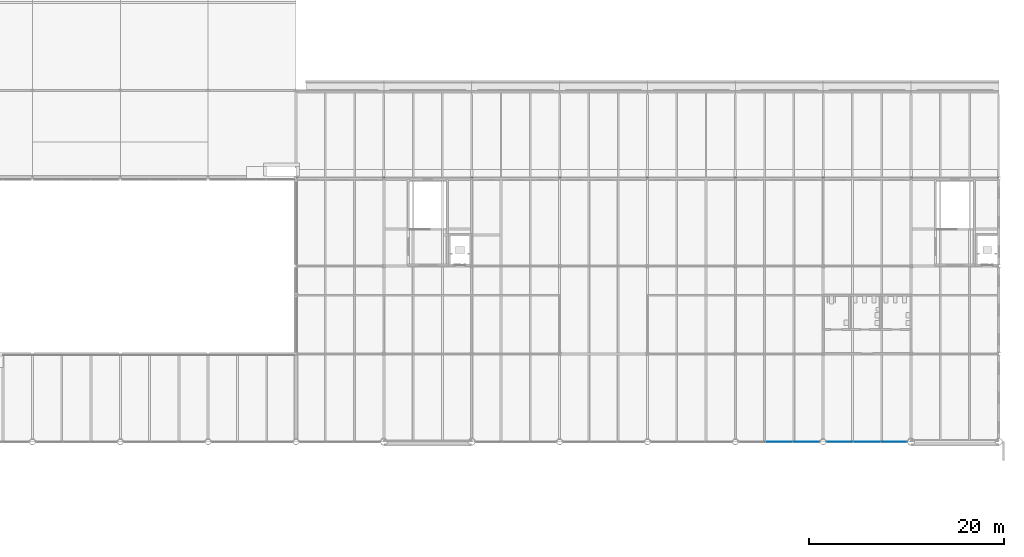
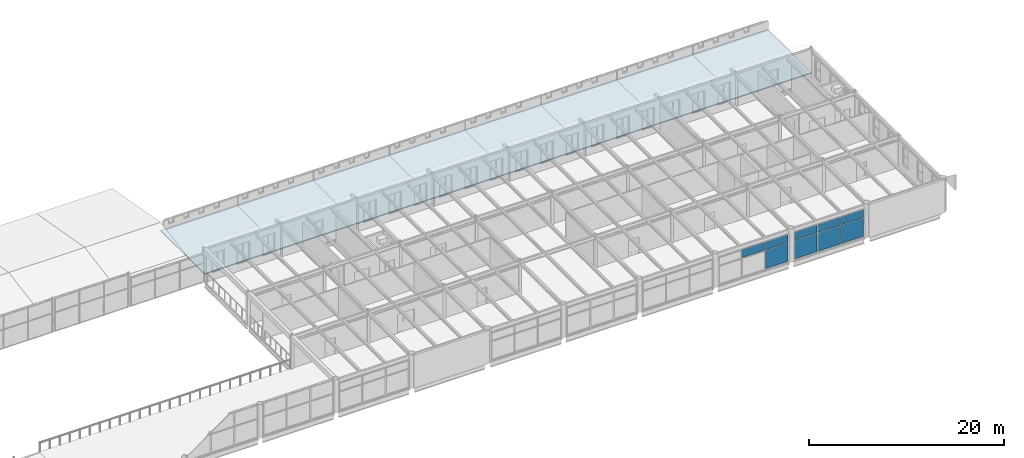
# One storey, part 57 of 123: 9 plates, 1 slab, 2 elements without a shape of their own.
"""IFC4 building model written with IfcOpenShell, lengths in metres."""

from ifc_helpers import new_model, si_unit, direction, frame, origin, origin_2d, place, context, subcontext, project, spatial, polyline, rectangle, outline, extrude, material, layer, layer_set, type_object, element, aggregate, save


model = new_model("IFC4")

# Units and contexts
model_context = context("Model", 3, precision=1e-05, world=origin(), true_north=direction((0.0, 1.0)))
body_context = subcontext(model_context, "Body", "Model", "MODEL_VIEW")
ifc_project = project(units=[si_unit("LENGTHUNIT", "METRE"), si_unit("AREAUNIT", "SQUARE_METRE"), si_unit("VOLUMEUNIT", "CUBIC_METRE"), si_unit("PLANEANGLEUNIT", "RADIAN"), si_unit("MASSUNIT", "GRAM", prefix="KILO")], contexts=[model_context])

# Site, building, storey
site_placement = place(None, origin())
site = spatial("IfcSite", under=ifc_project, at=site_placement, CompositionType="ELEMENT")
building_placement = place(site_placement, origin())
building = spatial("IfcBuilding", under=site, at=building_placement, Name="Baradari Gate Terminus", CompositionType="ELEMENT")
storey_placement = place(building_placement, frame((0.0, 0.0, 7.5)))
storey = spatial("IfcBuildingStorey", under=building, at=storey_placement, Name="L01", CompositionType="ELEMENT", Elevation=7.5)

# Slab
ifc_material_1 = material(Name="Concrete C35/45", Category="concrete")
ifc_layer_1 = layer(ifc_material_1, 0.1201171875)
ifc_layer_set_1 = layer_set([ifc_layer_1], Name="Concrete C35/45")
slab_type = type_object("IfcSlabType", Name="Canopy roof slab SL7 120", PredefinedType="ROOF", material=ifc_layer_set_1)
slab_placement = place(storey_placement, frame((0.0, 0.0, 0.780029296875)))
element("IfcSlab", 1, at=slab_placement, inside=storey, type_object=slab_type, Name="Canopy roof", PredefinedType="ROOF", context=body_context, shape_type="SweptSolid", body=[
    extrude(outline(polyline([(171.0, 117.0), (171.0, 108.0), (243.0, 108.0), (243.0, 117.0), (171.0, 117.0)])), origin(), (0.0, 0.0, 1.0), 0.119873046875),
])

# Curtain wall, plates
ifc_material_2 = material(Name="Aluminium 6063-T6", Category="aluminium")
curtain_wall_type = type_object("IfcCurtainWallType", Name="Curtain wall CW-13 concourse gallery glazing", PredefinedType="NOTDEFINED", material=ifc_material_2)
curtain_wall_1_placement = place(storey_placement, origin())
curtain_wall_1 = element("IfcCurtainWall", 2, at=curtain_wall_1_placement, inside=storey, type_object=curtain_wall_type, Name="Glazed curtain wall CW-13 HS bay 25 L01", PredefinedType="NOTDEFINED")
ifc_material_3 = material(Name="Insulating glass unit", Category="glass")
ifc_layer_2 = layer(ifc_material_3, 0.0400390625)
ifc_layer_set_2 = layer_set([ifc_layer_2], Name="Insulating glass unit")
plate_type = type_object("IfcPlateType", Name="Curtain wall glazing unit CP-13 40", PredefinedType="CURTAIN_PANEL", material=ifc_layer_set_2)
plate_1_placement = place(storey_placement, frame((220.5, 81.0, 2.43994140625), z_axis=(0.0, 0.0, 1.0), x_axis=(1.0, 0.0, 0.0)))
plate_1 = element("IfcPlate", 3, at=plate_1_placement, type_object=plate_type, Name="CW-13 panel 2.2", PredefinedType="CURTAIN_PANEL", context=body_context, shape_type="SweptSolid", body=[
    extrude(rectangle(XDim=2.716552734375, YDim=0.0400390625, at=origin_2d()), origin(), (0.0, 0.0, 1.0), 0.996826171875),
])
plate_2_placement = place(storey_placement, frame((223.276611328125, 81.0, 0.080078125), z_axis=(0.0, 0.0, 1.0), x_axis=(1.0, 0.0, 0.0)))
plate_2 = element("IfcPlate", 4, at=plate_2_placement, type_object=plate_type, Name="CW-13 panel 3.1", PredefinedType="CURTAIN_PANEL", context=body_context, shape_type="SweptSolid", body=[
    extrude(rectangle(XDim=2.6767578125, YDim=0.0400390625, at=origin_2d()), origin(), (0.0, 0.0, 1.0), 2.280029296875),
])
plate_3_placement = place(storey_placement, frame((223.276611328125, 81.0, 2.43994140625), z_axis=(0.0, 0.0, 1.0), x_axis=(1.0, 0.0, 0.0)))
plate_3 = element("IfcPlate", 5, at=plate_3_placement, type_object=plate_type, Name="CW-13 panel 3.2", PredefinedType="CURTAIN_PANEL", context=body_context, shape_type="SweptSolid", body=[
    extrude(rectangle(XDim=2.6767578125, YDim=0.0400390625, at=origin_2d()), origin(), (0.0, 0.0, 1.0), 0.996826171875),
])
aggregate(curtain_wall_1, [plate_1, plate_2, plate_3])

curtain_wall_2_placement = place(storey_placement, origin())
curtain_wall_2 = element("IfcCurtainWall", 6, at=curtain_wall_2_placement, inside=storey, type_object=curtain_wall_type, Name="Glazed curtain wall CW-13 HS bay 26 L01", PredefinedType="NOTDEFINED")
plate_4_placement = place(storey_placement, frame((226.71484375, 81.0, 0.080078125), z_axis=(0.0, 0.0, 1.0), x_axis=(1.0, 0.0, 0.0)))
plate_4 = element("IfcPlate", 7, at=plate_4_placement, type_object=plate_type, Name="CW-13 panel 1.1", PredefinedType="CURTAIN_PANEL", context=body_context, shape_type="SweptSolid", body=[
    extrude(rectangle(XDim=2.659912109375, YDim=0.0400390625, at=origin_2d()), origin(), (0.0, 0.0, 1.0), 2.280029296875),
])
plate_5_placement = place(storey_placement, frame((226.71484375, 81.0, 2.43994140625), z_axis=(0.0, 0.0, 1.0), x_axis=(1.0, 0.0, 0.0)))
plate_5 = element("IfcPlate", 8, at=plate_5_placement, type_object=plate_type, Name="CW-13 panel 1.2", PredefinedType="CURTAIN_PANEL", context=body_context, shape_type="SweptSolid", body=[
    extrude(rectangle(XDim=2.659912109375, YDim=0.0400390625, at=origin_2d()), origin(), (0.0, 0.0, 1.0), 0.996826171875),
])
plate_6_placement = place(storey_placement, frame((229.474853515625, 81.0, 0.080078125), z_axis=(0.0, 0.0, 1.0), x_axis=(1.0, 0.0, 0.0)))
plate_6 = element("IfcPlate", 9, at=plate_6_placement, type_object=plate_type, Name="CW-13 panel 2.1", PredefinedType="CURTAIN_PANEL", context=body_context, shape_type="SweptSolid", body=[
    extrude(rectangle(XDim=2.699951171875, YDim=0.0400390625, at=origin_2d()), origin(), (0.0, 0.0, 1.0), 2.280029296875),
])
plate_7_placement = place(storey_placement, frame((229.474853515625, 81.0, 2.43994140625), z_axis=(0.0, 0.0, 1.0), x_axis=(1.0, 0.0, 0.0)))
plate_7 = element("IfcPlate", 10, at=plate_7_placement, type_object=plate_type, Name="CW-13 panel 2.2", PredefinedType="CURTAIN_PANEL", context=body_context, shape_type="SweptSolid", body=[
    extrude(rectangle(XDim=2.699951171875, YDim=0.0400390625, at=origin_2d()), origin(), (0.0, 0.0, 1.0), 0.996826171875),
])
plate_8_placement = place(storey_placement, frame((232.234619140625, 81.0, 0.080078125), z_axis=(0.0, 0.0, 1.0), x_axis=(1.0, 0.0, 0.0)))
plate_8 = element("IfcPlate", 11, at=plate_8_placement, type_object=plate_type, Name="CW-13 panel 3.1", PredefinedType="CURTAIN_PANEL", context=body_context, shape_type="SweptSolid", body=[
    extrude(rectangle(XDim=2.659912109375, YDim=0.0400390625, at=origin_2d()), origin(), (0.0, 0.0, 1.0), 2.280029296875),
])
plate_9_placement = place(storey_placement, frame((232.234619140625, 81.0, 2.43994140625), z_axis=(0.0, 0.0, 1.0), x_axis=(1.0, 0.0, 0.0)))
plate_9 = element("IfcPlate", 12, at=plate_9_placement, type_object=plate_type, Name="CW-13 panel 3.2", PredefinedType="CURTAIN_PANEL", context=body_context, shape_type="SweptSolid", body=[
    extrude(rectangle(XDim=2.659912109375, YDim=0.0400390625, at=origin_2d()), origin(), (0.0, 0.0, 1.0), 0.996826171875),
])
aggregate(curtain_wall_2, [plate_4, plate_5, plate_6, plate_7, plate_8, plate_9])

save(model, "model.ifc")
